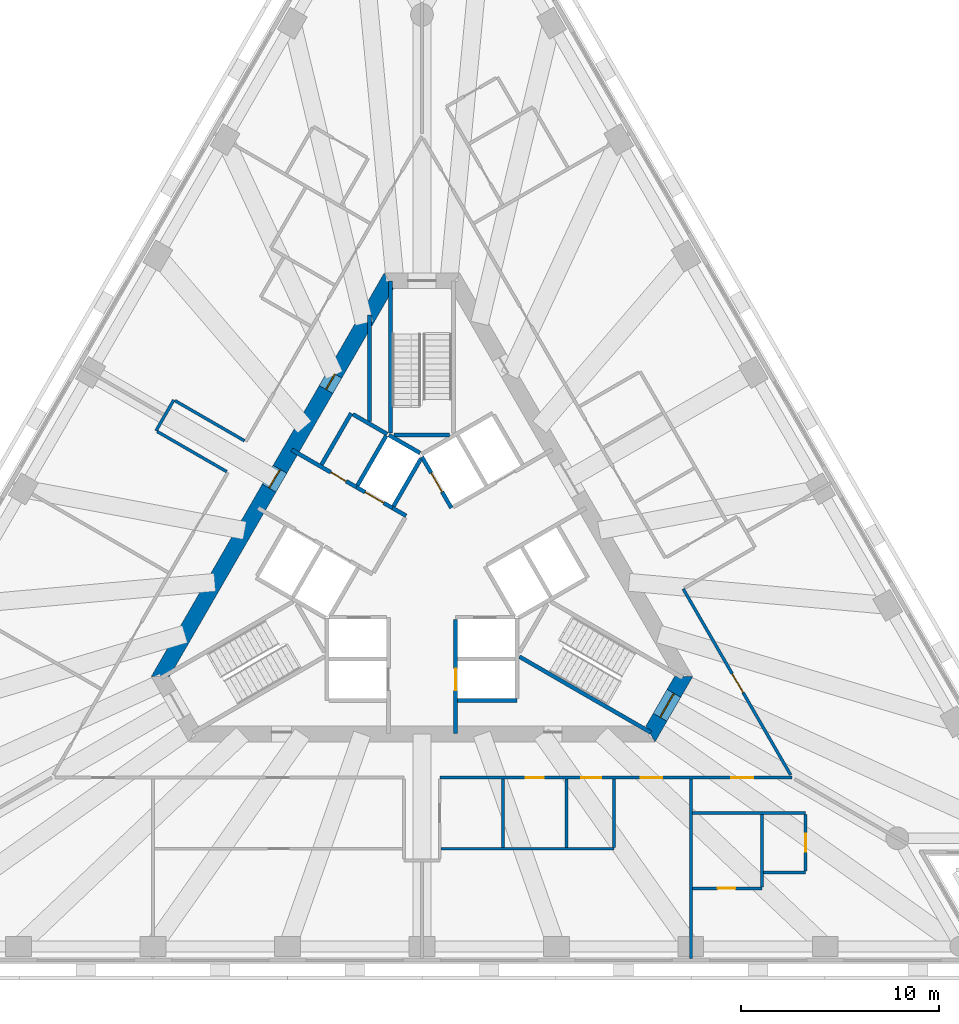
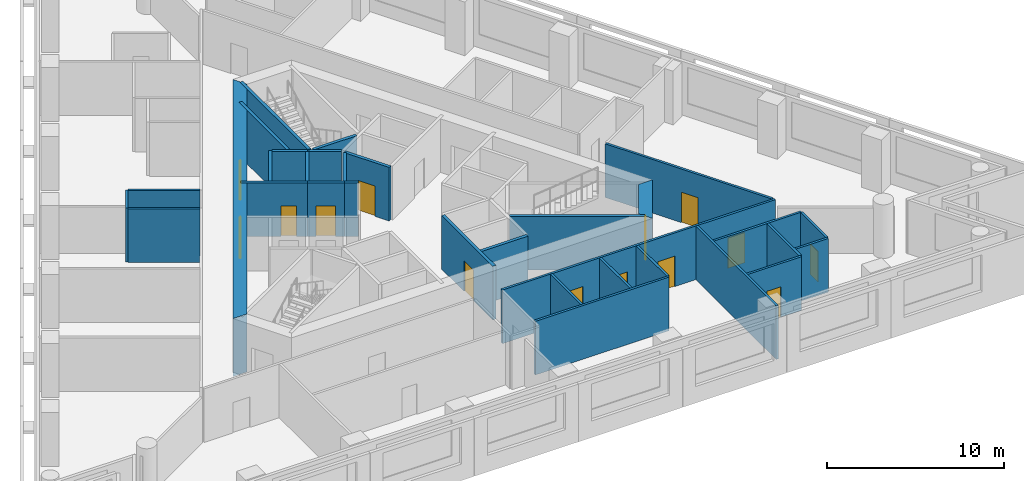
# One storey, part 4 of 9: 32 walls, 14 doors, 14 openings.
"""IFC4 building model written with IfcOpenShell, lengths in metres."""

from ifc_helpers import new_model, si_unit, direction, frame, frame_2d, origin, place, context, subcontext, project, spatial, polyline, rectangle, outline, extrude, material, layer, layer_set, type_object, element, fill, save


model = new_model("IFC4")

# Units and contexts
model_context = context("Model", 3, precision=1e-05, world=origin(), true_north=direction((0.0, 1.0)))
body_context = subcontext(model_context, "Body", "Model", "MODEL_VIEW")
ifc_project = project(units=[si_unit("LENGTHUNIT", "METRE"), si_unit("AREAUNIT", "SQUARE_METRE"), si_unit("VOLUMEUNIT", "CUBIC_METRE"), si_unit("PLANEANGLEUNIT", "RADIAN"), si_unit("MASSUNIT", "GRAM", prefix="KILO")], contexts=[model_context])

# Site, building, storey
site_placement = place(None, origin())
site = spatial("IfcSite", under=ifc_project, at=site_placement, CompositionType="ELEMENT")
building_placement = place(site_placement, origin())
building = spatial("IfcBuilding", under=site, at=building_placement, Name="Triada Interchange Tower", CompositionType="ELEMENT")
storey_placement = place(building_placement, frame((0.0, 0.0, 136.300048828125)))
storey = spatial("IfcBuildingStorey", under=building, at=storey_placement, Name="L31", CompositionType="ELEMENT", Elevation=136.300048828125)

# Wall
ifc_material_1 = material(Name="Concrete C30/37", Category="concrete")
ifc_layer_1 = layer(ifc_material_1, 0.199951171875)
ifc_layer_set_1 = layer_set([ifc_layer_1], Name="CORE WALL 200 EI 120")
wall_type_1 = type_object("IfcWallType", Name="CORE WALL 200 EI 120", PredefinedType="SOLIDWALL", material=ifc_layer_set_1)
wall_1_placement = place(storey_placement, frame((1.800048828125, -6.89990234375, 0.0), z_axis=(0.0, 0.0, 1.0), x_axis=(1.0, 0.0, 0.0)))
element("IfcWall", 1, at=wall_1_placement, inside=storey, type_object=wall_type_1, Name="Wall L29 58", PredefinedType="SOLIDWALL", context=body_context, shape_type="SweptSolid", body=[
    extrude(rectangle(XDim=3.0, YDim=0.199951171875, at=frame_2d((1.5, 0.0))), origin(), (0.0, 0.0, 1.0), 3.699951171875),
])

# Wall, opening, door
wall_2_placement = place(storey_placement, frame((0.0, 5.39990234375, 0.0), z_axis=(0.0, 0.0, 1.0), x_axis=(0.500103862429, -0.865965430478, 0.0)))
wall_2 = element("IfcWall", 2, at=wall_2_placement, inside=storey, type_object=wall_type_1, Name="Wall L29 65", PredefinedType="SOLIDWALL", context=body_context, shape_type="SweptSolid", body=[
    extrude(rectangle(XDim=2.973388671875, YDim=0.199951171875, at=frame_2d((1.48681640625, 0.0))), origin(), (0.0, 0.0, 1.0), 3.699951171875),
])
opening_1_placement = place(wall_2_placement, frame((0.93701171875, 0.0, 0.0)))
opening_1 = element("IfcOpeningElement", 3, at=opening_1_placement, cuts=wall_2, Name="Opening LD-LR5", PredefinedType="OPENING", context=body_context, shape_type="SweptSolid", body=[
    extrude(rectangle(XDim=1.10009765625, YDim=2.10009765625, at=frame_2d((0.550048828125, 1.050048828125))), frame((0.0, 0.10986328125, 0.0), z_axis=(0.0, -1.0, 0.0), x_axis=(1.0, 0.0, 0.0)), (0.0, 0.0, 1.0), 0.219970703125),
])
ifc_material_2 = material(Name="Steel S235 door leaf", Category="steel")
door_type_1 = type_object("IfcDoorType", Name="LIFT LANDING DOOR 1100 EI 120", OperationType="SLIDING_TO_LEFT", PredefinedType="DOOR", material=ifc_material_2)
door_1_placement = place(opening_1_placement, origin())
door_1 = element("IfcDoor", 4, at=door_1_placement, inside=storey, type_object=door_type_1, Name="LR5 landing door L31", OperationType="SLIDING_TO_LEFT", OverallHeight=2.10009765625, OverallWidth=1.10009765625, PredefinedType="DOOR", context=body_context, shape_type="SweptSolid", body=[
    extrude(rectangle(XDim=1.10009765625, YDim=2.10009765625, at=frame_2d((0.550048828125, 1.050048828125))), frame((0.0, 0.02490234375, 0.0), z_axis=(0.0, -1.0, 0.0), x_axis=(1.0, 0.0, 0.0)), (0.0, 0.0, 1.0), 0.050048828125),
])
fill(opening_1, door_1)

wall_3_placement = place(storey_placement, frame((1.699951171875, -8.580078125, 0.0), z_axis=(0.0, 0.0, 1.0), x_axis=(0.0, 1.0, 0.0)))
wall_3 = element("IfcWall", 5, at=wall_3_placement, inside=storey, type_object=wall_type_1, Name="Wall L29 68", PredefinedType="SOLIDWALL", context=body_context, shape_type="SweptSolid", body=[
    extrude(rectangle(XDim=5.777099609375, YDim=0.199951171875, at=frame_2d((2.888671875, 0.0))), origin(), (0.0, 0.0, 1.0), 3.699951171875),
])
opening_2_placement = place(wall_3_placement, frame((2.179931640625, 0.0, 0.0)))
opening_2 = element("IfcOpeningElement", 6, at=opening_2_placement, cuts=wall_3, Name="Opening LD-LR2", PredefinedType="OPENING", context=body_context, shape_type="SweptSolid", body=[
    extrude(rectangle(XDim=1.10009765625, YDim=2.10009765625, at=frame_2d((0.550048828125, 1.050048828125))), frame((0.0, 0.10986328125, 0.0), z_axis=(0.0, -1.0, 0.0), x_axis=(1.0, 0.0, 0.0)), (0.0, 0.0, 1.0), 0.219970703125),
])
door_2_placement = place(opening_2_placement, origin())
door_2 = element("IfcDoor", 7, at=door_2_placement, inside=storey, type_object=door_type_1, Name="LR2 landing door L31", OperationType="SLIDING_TO_LEFT", OverallHeight=2.10009765625, OverallWidth=1.10009765625, PredefinedType="DOOR", context=body_context, shape_type="SweptSolid", body=[
    extrude(rectangle(XDim=1.10009765625, YDim=2.10009765625, at=frame_2d((0.550048828125, 1.050048828125))), frame((0.0, 0.02490234375, 0.0), z_axis=(0.0, -1.0, 0.0), x_axis=(1.0, 0.0, 0.0)), (0.0, 0.0, 1.0), 0.050048828125),
])
fill(opening_2, door_2)

ifc_layer_2 = layer(ifc_material_1, 0.199951171875)
ifc_layer_set_2 = layer_set([ifc_layer_2], Name="CORE WALL 200 EI 180")
wall_type_2 = type_object("IfcWallType", Name="CORE WALL 200 EI 180", PredefinedType="SOLIDWALL", material=ifc_layer_set_2)
wall_4_placement = place(storey_placement, frame((-6.580078125, 5.761962890625, 0.0), z_axis=(0.0, 0.0, 1.0), x_axis=(0.866029704776, -0.49999255039, 0.0)))
wall_4 = element("IfcWall", 8, at=wall_4_placement, inside=storey, type_object=wall_type_2, Name="Wall L29 78", PredefinedType="SOLIDWALL", context=body_context, shape_type="SweptSolid", body=[
    extrude(rectangle(XDim=3.78173828125, YDim=0.199951171875, at=frame_2d((1.890869140625, 0.0))), origin(), (0.0, 0.0, 1.0), 3.699951171875),
])
opening_3_placement = place(wall_4_placement, frame((2.279052734375, 0.0, 0.0)))
opening_3 = element("IfcOpeningElement", 9, at=opening_3_placement, cuts=wall_4, Name="Opening D29-10", PredefinedType="OPENING", context=body_context, shape_type="SweptSolid", body=[
    extrude(rectangle(XDim=0.89990234375, YDim=2.10009765625, at=frame_2d((0.449951171875, 1.050048828125))), frame((0.0, 0.10986328125, 0.0), z_axis=(0.0, -1.0, 0.0), x_axis=(1.0, 0.0, 0.0)), (0.0, 0.0, 1.0), 0.219970703125),
])
door_type_2 = type_object("IfcDoorType", Name="SERVICE DOOR 900 EI2 90-C5S200", OperationType="NOTDEFINED", PredefinedType="DOOR", material=ifc_material_2)
door_3_placement = place(opening_3_placement, origin())
door_3 = element("IfcDoor", 10, at=door_3_placement, inside=storey, type_object=door_type_2, Name="Door D29-10 L31", OperationType="SINGLE_SWING_LEFT", OverallHeight=2.10009765625, OverallWidth=0.89990234375, PredefinedType="DOOR", context=body_context, shape_type="SweptSolid", body=[
    extrude(rectangle(XDim=0.89990234375, YDim=2.10009765625, at=frame_2d((0.449951171875, 1.050048828125))), frame((0.0, 0.02490234375, 0.0), z_axis=(0.0, -1.0, 0.0), x_axis=(1.0, 0.0, 0.0)), (0.0, 0.0, 1.0), 0.050048828125),
])
fill(opening_3, door_3)

# Walls
wall_5_placement = place(storey_placement, frame((-1.488037109375, 2.822021484375, 0.0), z_axis=(0.0, 0.0, 1.0), x_axis=(0.866236612152, -0.499633997809, 0.0)))
element("IfcWall", 11, at=wall_5_placement, inside=storey, type_object=wall_type_2, Name="Wall L29 79", PredefinedType="SOLIDWALL", context=body_context, shape_type="SweptSolid", body=[
    extrude(rectangle(XDim=0.79638671875, YDim=0.199951171875, at=frame_2d((0.398193359375, 0.0))), origin(), (0.0, 0.0, 1.0), 3.699951171875),
])
wall_6_placement = place(storey_placement, frame((-5.075927734375, 5.009033203125, 0.0), z_axis=(0.0, 0.0, 1.0), x_axis=(0.50002537861, 0.866010750942, 0.0)))
element("IfcWall", 12, at=wall_6_placement, inside=storey, type_object=wall_type_2, Name="Wall L29 80", PredefinedType="SOLIDWALL", context=body_context, shape_type="SweptSolid", body=[
    extrude(rectangle(XDim=2.999755859375, YDim=0.199951171875, at=frame_2d((1.5, 0.0))), origin(), (0.0, 0.0, 1.0), 3.699951171875),
])
wall_7_placement = place(storey_placement, frame((-3.489013671875, 7.556884765625, 0.0), z_axis=(0.0, 0.0, 1.0), x_axis=(0.866010750942, -0.50002537861, 0.0)))
element("IfcWall", 13, at=wall_7_placement, inside=storey, type_object=wall_type_2, Name="Wall L29 81", PredefinedType="SOLIDWALL", context=body_context, shape_type="SweptSolid", body=[
    extrude(rectangle(XDim=2.0, YDim=0.199951171875, at=frame_2d((1.0, 0.0))), origin(), (0.0, 0.0, 1.0), 3.699951171875),
])

# Wall, opening, door
wall_8_placement = place(storey_placement, frame((-3.30908203125, 3.873046875, 0.0), z_axis=(0.0, 0.0, 1.0), x_axis=(0.866098583652, -0.499873227325, 0.0)))
wall_8 = element("IfcWall", 14, at=wall_8_placement, inside=storey, type_object=wall_type_2, Name="Shaft wall FF2 L29 87", PredefinedType="SOLIDWALL", context=body_context, shape_type="SweptSolid", body=[
    extrude(rectangle(XDim=2.1025390625, YDim=0.199951171875, at=frame_2d((1.05126953125, 0.0))), origin(), (0.0, 0.0, 1.0), 3.699951171875),
])
opening_4_placement = place(wall_8_placement, frame((0.501953125, 0.0, 0.0)))
opening_4 = element("IfcOpeningElement", 15, at=opening_4_placement, cuts=wall_8, Name="Opening LD-FF2", PredefinedType="OPENING", context=body_context, shape_type="SweptSolid", body=[
    extrude(rectangle(XDim=1.10009765625, YDim=2.10009765625, at=frame_2d((0.550048828125, 1.050048828125))), frame((0.0, 0.10986328125, 0.0), z_axis=(0.0, -1.0, 0.0), x_axis=(1.0, 0.0, 0.0)), (0.0, 0.0, 1.0), 0.219970703125),
])
door_4_placement = place(opening_4_placement, origin())
door_4 = element("IfcDoor", 16, at=door_4_placement, inside=storey, type_object=door_type_1, Name="FF2 landing door L31", OperationType="SLIDING_TO_LEFT", OverallHeight=2.10009765625, OverallWidth=1.10009765625, PredefinedType="DOOR", context=body_context, shape_type="SweptSolid", body=[
    extrude(rectangle(XDim=1.10009765625, YDim=2.10009765625, at=frame_2d((0.550048828125, 1.050048828125))), frame((0.0, 0.02490234375, 0.0), z_axis=(0.0, -1.0, 0.0), x_axis=(1.0, 0.0, 0.0)), (0.0, 0.0, 1.0), 0.050048828125),
])
fill(opening_4, door_4)

# Walls
wall_9_placement = place(storey_placement, frame((-3.257080078125, 3.958984375, 0.0), z_axis=(0.0, 0.0, 1.0), x_axis=(0.50012328804, 0.865954211699, 0.0)))
element("IfcWall", 17, at=wall_9_placement, inside=storey, type_object=wall_type_2, Name="Shaft wall FF2 L29 88", PredefinedType="SOLIDWALL", context=body_context, shape_type="SweptSolid", body=[
    extrude(rectangle(XDim=2.899658203125, YDim=0.199951171875, at=frame_2d((1.44970703125, 0.0))), origin(), (0.0, 0.0, 1.0), 3.699951171875),
])
wall_10_placement = place(storey_placement, frame((-1.669921875, 6.507080078125, 0.0), z_axis=(0.0, 0.0, 1.0), x_axis=(0.865941441609, -0.500145398563, 0.0)))
element("IfcWall", 18, at=wall_10_placement, inside=storey, type_object=wall_type_2, Name="Shaft wall FF2 L29 89", PredefinedType="SOLIDWALL", context=body_context, shape_type="SweptSolid", body=[
    extrude(rectangle(XDim=1.8154296875, YDim=0.199951171875, at=frame_2d((0.90771484375, 0.0))), origin(), (0.0, 0.0, 1.0), 3.699951171875),
])
wall_11_placement = place(storey_placement, frame((-1.43798828125, 2.908935546875, 0.0), z_axis=(0.0, 0.0, 1.0), x_axis=(0.499829630636, 0.866123744241, 0.0)))
element("IfcWall", 19, at=wall_11_placement, inside=storey, type_object=wall_type_2, Name="Shaft wall FF2 L29 90", PredefinedType="SOLIDWALL", context=body_context, shape_type="SweptSolid", body=[
    extrude(rectangle(XDim=2.7607421875, YDim=0.199951171875, at=frame_2d((1.38037109375, 0.0))), origin(), (0.0, 0.0, 1.0), 3.699951171875),
])
ifc_layer_3 = layer(ifc_material_1, 0.199951171875)
ifc_layer_set_3 = layer_set([ifc_layer_3], Name="CORE WALL 200 EI 90")
wall_type_3 = type_object("IfcWallType", Name="CORE WALL 200 EI 90", PredefinedType="SOLIDWALL", material=ifc_layer_set_3)
wall_12_placement = place(storey_placement, frame((-2.64404296875, 7.18505859375, 0.0), z_axis=(0.0, 0.0, 1.0), x_axis=(0.0, 1.0, 0.0)))
element("IfcWall", 20, at=wall_12_placement, inside=storey, type_object=wall_type_3, Name="Wall L29 91", PredefinedType="SOLIDWALL", context=body_context, shape_type="SweptSolid", body=[
    extrude(rectangle(XDim=5.39501953125, YDim=0.199951171875, at=frame_2d((2.697509765625, 0.0))), origin(), (0.0, 0.0, 1.0), 3.699951171875),
])
ifc_layer_4 = layer(ifc_material_1, 0.199951171875)
ifc_layer_set_4 = layer_set([ifc_layer_4], Name="CORE WALL 200 REI 240")
wall_type_4 = type_object("IfcWallType", Name="CORE WALL 200 REI 240", PredefinedType="SOLIDWALL", material=ifc_layer_set_4)
wall_13_placement = place(storey_placement, frame((-1.39990234375, 6.5, 0.0), z_axis=(0.0, 0.0, 1.0), x_axis=(1.0, 0.0, 0.0)))
element("IfcWall", 21, at=wall_13_placement, inside=storey, type_object=wall_type_4, Name="Wall L29 96", PredefinedType="SOLIDWALL", context=body_context, shape_type="SweptSolid", body=[
    extrude(rectangle(XDim=2.7998046875, YDim=0.199951171875, at=frame_2d((1.39990234375, 0.0))), origin(), (0.0, 0.0, 1.0), 3.699951171875),
])
for number, where, z_axis, x_axis, name in (
    (22, (-1.60009765625, 6.614990234375, 0.0), (0.0, 0.0, 1.0), (0.0, 1.0, 0.0), "Wall L29 97"),
    (23, (4.928955078125, -4.693115234375, 0.0), (0.0, 0.0, 1.0), (0.866005769735, -0.50003400563, 0.0), "Wall L29 98"),
):
    element("IfcWall", number, at=place(storey_placement, frame(where, z_axis=z_axis, x_axis=x_axis)), inside=storey, type_object=wall_type_4, Name=name, PredefinedType="SOLIDWALL", context=body_context, shape_type="SweptSolid", body=[
        extrude(rectangle(XDim=7.6650390625, YDim=0.199951171875, at=frame_2d((3.83251953125, 0.0))), origin(), (0.0, 0.0, 1.0), 3.699951171875),
    ])

# Wall, openings, doors
ifc_material_3 = material(Name="Concrete C60/75", Category="concrete")
ifc_layer_5 = layer(ifc_material_3, 0.800048828125)
ifc_layer_set_5 = layer_set([ifc_layer_5], Name="Core wall B 800")
wall_type_5 = type_object("IfcWallType", Name="Core wall B 800", PredefinedType="SHEAR", material=ifc_layer_set_5)
wall_14_placement = place(storey_placement, frame((-1.674072265625, 14.300048828125, -0.300048828125), z_axis=(0.0, 0.0, 1.0), x_axis=(-0.499995765644, -0.866027848477, 0.0)))
wall_14 = element("IfcWall", 24, at=wall_14_placement, inside=storey, type_object=wall_type_5, Name="Core wall WB02 L31", PredefinedType="SHEAR", context=body_context, shape_type="SweptSolid", body=[
    extrude(outline(polyline([(-0.23095703125, -0.39990234375), (1.73193359375, -0.39990234375), (3.695068359375, -0.39990234375), (5.657958984375, -0.39990234375), (7.62109375, -0.39990234375), (9.583984375, -0.39990234375), (11.546875, -0.39990234375), (13.510009765625, -0.39990234375), (15.472900390625, -0.39990234375), (17.43603515625, -0.39990234375), (19.39892578125, -0.39990234375), (21.362060546875, -0.39990234375), (23.324951171875, -0.39990234375), (22.863037109375, 0.39990234375), (20.97705078125, 0.39990234375), (19.091064453125, 0.39990234375), (17.205078125, 0.39990234375), (15.319091796875, 0.39990234375), (13.43310546875, 0.39990234375), (11.546875, 0.39990234375), (9.660888671875, 0.39990234375), (7.77490234375, 0.39990234375), (5.888916015625, 0.39990234375), (4.0029296875, 0.39990234375), (2.116943359375, 0.39990234375), (0.23095703125, 0.39990234375), (-0.23095703125, -0.39990234375)])), origin(), (0.0, 0.0, 1.0), 4.0),
])
opening_5_placement = place(wall_14_placement, frame((10.9970703125, 0.0, 0.300048828125)))
opening_5 = element("IfcOpeningElement", 25, at=opening_5_placement, cuts=wall_14, Name="Opening D29-41", PredefinedType="OPENING", context=body_context, shape_type="SweptSolid", body=[
    extrude(rectangle(XDim=1.10009765625, YDim=2.10009765625, at=frame_2d((0.550048828125, 1.050048828125))), frame((0.0, 0.409912109375, 0.0), z_axis=(0.0, -1.0, 0.0), x_axis=(1.0, 0.0, 0.0)), (0.0, 0.0, 1.0), 0.820068359375),
])
opening_6_placement = place(wall_14_placement, frame((5.444091796875, 0.0, 0.300048828125)))
opening_6 = element("IfcOpeningElement", 26, at=opening_6_placement, cuts=wall_14, Name="Opening D29-43", PredefinedType="OPENING", context=body_context, shape_type="SweptSolid", body=[
    extrude(rectangle(XDim=0.89990234375, YDim=2.10009765625, at=frame_2d((0.449951171875, 1.050048828125))), frame((0.0, 0.409912109375, 0.0), z_axis=(0.0, -1.0, 0.0), x_axis=(1.0, 0.0, 0.0)), (0.0, 0.0, 1.0), 0.820068359375),
])
door_type_3 = type_object("IfcDoorType", Name="FIRE LOBBY DOOR 1100 EI2 90-C5S200", OperationType="NOTDEFINED", PredefinedType="DOOR", material=ifc_material_2)
door_5_placement = place(opening_5_placement, origin())
door_5 = element("IfcDoor", 27, at=door_5_placement, inside=storey, type_object=door_type_3, Name="Door D29-41 L31", OperationType="SINGLE_SWING_LEFT", OverallHeight=2.10009765625, OverallWidth=1.10009765625, PredefinedType="DOOR", context=body_context, shape_type="SweptSolid", body=[
    extrude(rectangle(XDim=1.10009765625, YDim=2.10009765625, at=frame_2d((0.550048828125, 1.050048828125))), frame((0.0, 0.02490234375, 0.0), z_axis=(0.0, -1.0, 0.0), x_axis=(1.0, 0.0, 0.0)), (0.0, 0.0, 1.0), 0.050048828125),
])
fill(opening_5, door_5)
door_type_4 = type_object("IfcDoorType", Name="RISER ACCESS DOOR 900 EI2 45-C5S200", OperationType="NOTDEFINED", PredefinedType="DOOR", material=ifc_material_2)
door_6_placement = place(opening_6_placement, origin())
door_6 = element("IfcDoor", 28, at=door_6_placement, inside=storey, type_object=door_type_4, Name="Door D29-43 L31", OperationType="SINGLE_SWING_LEFT", OverallHeight=2.10009765625, OverallWidth=0.89990234375, PredefinedType="DOOR", context=body_context, shape_type="SweptSolid", body=[
    extrude(rectangle(XDim=0.89990234375, YDim=2.10009765625, at=frame_2d((0.449951171875, 1.050048828125))), frame((0.0, 0.02490234375, 0.0), z_axis=(0.0, -1.0, 0.0), x_axis=(1.0, 0.0, 0.0)), (0.0, 0.0, 1.0), 0.050048828125),
])
fill(opening_6, door_6)

# Wall, opening, door
wall_15_placement = place(storey_placement, frame((11.547119140625, -8.60009765625, -0.300048828125), z_axis=(0.0, 0.0, 1.0), x_axis=(0.49987182685, 0.866099391942, 0.0)))
wall_15 = element("IfcWall", 29, at=wall_15_placement, inside=storey, type_object=wall_type_5, Name="Core wall WB05 L31", PredefinedType="SHEAR", context=body_context, shape_type="SweptSolid", body=[
    extrude(outline(polyline([(-0.23095703125, -0.39990234375), (1.674072265625, -0.39990234375), (3.5791015625, -0.39990234375), (3.117919921875, 0.39990234375), (1.67431640625, 0.39990234375), (0.23095703125, 0.39990234375), (-0.23095703125, -0.39990234375)])), origin(), (0.0, 0.0, 1.0), 4.0),
])
opening_7_placement = place(wall_15_placement, frame((0.97412109375, 0.0, 0.300048828125)))
opening_7 = element("IfcOpeningElement", 30, at=opening_7_placement, cuts=wall_15, Name="Opening D29-40", PredefinedType="OPENING", context=body_context, shape_type="SweptSolid", body=[
    extrude(rectangle(XDim=1.39990234375, YDim=2.10009765625, at=frame_2d((0.699951171875, 1.050048828125))), frame((0.0, 0.409912109375, 0.0), z_axis=(0.0, -1.0, 0.0), x_axis=(1.0, 0.0, 0.0)), (0.0, 0.0, 1.0), 0.820068359375),
])
door_type_5 = type_object("IfcDoorType", Name="STAIR DOOR 1400 EI2 90-C5S200", OperationType="DOUBLE_DOOR_SINGLE_SWING", PredefinedType="DOOR", material=ifc_material_2)
door_7_placement = place(opening_7_placement, origin())
door_7 = element("IfcDoor", 31, at=door_7_placement, inside=storey, type_object=door_type_5, Name="Door D29-40 L31", OperationType="DOUBLE_DOOR_SINGLE_SWING", OverallHeight=2.10009765625, OverallWidth=1.39990234375, PredefinedType="DOOR", context=body_context, shape_type="SweptSolid", body=[
    extrude(rectangle(XDim=1.39990234375, YDim=2.10009765625, at=frame_2d((0.699951171875, 1.050048828125))), frame((0.0, 0.02490234375, 0.0), z_axis=(0.0, -1.0, 0.0), x_axis=(1.0, 0.0, 0.0)), (0.0, 0.0, 1.0), 0.050048828125),
])
fill(opening_7, door_7)

# Wall, openings, doors
ifc_material_4 = material(Name="Gypsum board partition")
ifc_layer_6 = layer(ifc_material_4, 0.14990234375)
ifc_layer_set_6 = layer_set([ifc_layer_6], Name="PARTITION 150 EI 180")
wall_type_6 = type_object("IfcWallType", Name="PARTITION 150 EI 180", PredefinedType="PARTITIONING", material=ifc_layer_set_6)
wall_16_placement = place(storey_placement, frame((0.90087890625, -10.800048828125, 0.0), z_axis=(0.0, 0.0, 1.0), x_axis=(1.0, 0.0, 0.0)))
wall_16 = element("IfcWall", 32, at=wall_16_placement, inside=storey, type_object=wall_type_6, Name="Wall L29 5", PredefinedType="PARTITIONING", context=body_context, shape_type="SweptSolid", body=[
    extrude(rectangle(XDim=17.80517578125, YDim=0.14990234375, at=frame_2d((8.902587890625, 0.0))), origin(), (0.0, 0.0, 1.0), 3.699951171875),
])
opening_8_placement = place(wall_16_placement, frame((10.14892578125, 0.0, 0.0)))
opening_8 = element("IfcOpeningElement", 33, at=opening_8_placement, cuts=wall_16, Name="Opening D29-14", PredefinedType="OPENING", context=body_context, shape_type="SweptSolid", body=[
    extrude(rectangle(XDim=1.10009765625, YDim=2.10009765625, at=frame_2d((0.550048828125, 1.050048828125))), frame((0.0, 0.0849609375, 0.0), z_axis=(0.0, -1.0, 0.0), x_axis=(1.0, 0.0, 0.0)), (0.0, 0.0, 1.0), 0.169921875),
])
opening_9_placement = place(wall_16_placement, frame((4.34912109375, 0.0, 0.0)))
opening_9 = element("IfcOpeningElement", 34, at=opening_9_placement, cuts=wall_16, Name="Opening D29-16", PredefinedType="OPENING", context=body_context, shape_type="SweptSolid", body=[
    extrude(rectangle(XDim=0.89990234375, YDim=2.10009765625, at=frame_2d((0.449951171875, 1.050048828125))), frame((0.0, 0.0849609375, 0.0), z_axis=(0.0, -1.0, 0.0), x_axis=(1.0, 0.0, 0.0)), (0.0, 0.0, 1.0), 0.169921875),
])
opening_10_placement = place(wall_16_placement, frame((7.14892578125, 0.0, 0.0)))
opening_10 = element("IfcOpeningElement", 35, at=opening_10_placement, cuts=wall_16, Name="Opening D29-17", PredefinedType="OPENING", context=body_context, shape_type="SweptSolid", body=[
    extrude(rectangle(XDim=1.0, YDim=2.10009765625, at=frame_2d((0.5, 1.050048828125))), frame((0.0, 0.0849609375, 0.0), z_axis=(0.0, -1.0, 0.0), x_axis=(1.0, 0.0, 0.0)), (0.0, 0.0, 1.0), 0.169921875),
])
opening_11_placement = place(wall_16_placement, frame((14.737060546875, 0.0, 0.0)))
opening_11 = element("IfcOpeningElement", 36, at=opening_11_placement, cuts=wall_16, Name="Opening D29-18", PredefinedType="OPENING", context=body_context, shape_type="SweptSolid", body=[
    extrude(rectangle(XDim=1.10009765625, YDim=2.10009765625, at=frame_2d((0.550048828125, 1.050048828125))), frame((0.0, 0.0849609375, 0.0), z_axis=(0.0, -1.0, 0.0), x_axis=(1.0, 0.0, 0.0)), (0.0, 0.0, 1.0), 0.169921875),
])
door_type_6 = type_object("IfcDoorType", Name="ROOM DOOR 1000 EI2 90-C5S200", OperationType="NOTDEFINED", PredefinedType="DOOR", material=ifc_material_2)
door_8_placement = place(opening_10_placement, origin())
door_8 = element("IfcDoor", 37, at=door_8_placement, inside=storey, type_object=door_type_6, Name="Door D29-17 L31", OperationType="SINGLE_SWING_RIGHT", OverallHeight=2.10009765625, OverallWidth=1.0, PredefinedType="DOOR", context=body_context, shape_type="SweptSolid", body=[
    extrude(rectangle(XDim=1.0, YDim=2.10009765625, at=frame_2d((0.5, 1.050048828125))), frame((0.0, 0.02490234375, 0.0), z_axis=(0.0, -1.0, 0.0), x_axis=(1.0, 0.0, 0.0)), (0.0, 0.0, 1.0), 0.050048828125),
])
fill(opening_10, door_8)
door_type_7 = type_object("IfcDoorType", Name="ROOM DOOR 900 EI2 90-C5S200", OperationType="NOTDEFINED", PredefinedType="DOOR", material=ifc_material_2)
door_9_placement = place(opening_9_placement, origin())
door_9 = element("IfcDoor", 38, at=door_9_placement, inside=storey, type_object=door_type_7, Name="Door D29-16 L31", OperationType="SINGLE_SWING_RIGHT", OverallHeight=2.10009765625, OverallWidth=0.89990234375, PredefinedType="DOOR", context=body_context, shape_type="SweptSolid", body=[
    extrude(rectangle(XDim=0.89990234375, YDim=2.10009765625, at=frame_2d((0.449951171875, 1.050048828125))), frame((0.0, 0.02490234375, 0.0), z_axis=(0.0, -1.0, 0.0), x_axis=(1.0, 0.0, 0.0)), (0.0, 0.0, 1.0), 0.050048828125),
])
fill(opening_9, door_9)
door_type_8 = type_object("IfcDoorType", Name="TENANCY ENTRANCE DOOR 1100 EI2 90-C5S200", OperationType="NOTDEFINED", PredefinedType="DOOR", material=ifc_material_2)
door_10_placement = place(opening_8_placement, origin())
door_10 = element("IfcDoor", 39, at=door_10_placement, inside=storey, type_object=door_type_8, Name="Door D29-14 L31", OperationType="SINGLE_SWING_LEFT", OverallHeight=2.10009765625, OverallWidth=1.10009765625, PredefinedType="DOOR", context=body_context, shape_type="SweptSolid", body=[
    extrude(rectangle(XDim=1.10009765625, YDim=2.10009765625, at=frame_2d((0.550048828125, 1.050048828125))), frame((0.0, 0.02490234375, 0.0), z_axis=(0.0, -1.0, 0.0), x_axis=(1.0, 0.0, 0.0)), (0.0, 0.0, 1.0), 0.050048828125),
])
fill(opening_8, door_10)
door_11_placement = place(opening_11_placement, origin())
door_11 = element("IfcDoor", 40, at=door_11_placement, inside=storey, type_object=door_type_8, Name="Door D29-18 L31", OperationType="SINGLE_SWING_LEFT", OverallHeight=2.10009765625, OverallWidth=1.10009765625, PredefinedType="DOOR", context=body_context, shape_type="SweptSolid", body=[
    extrude(rectangle(XDim=1.10009765625, YDim=2.10009765625, at=frame_2d((0.550048828125, 1.050048828125))), frame((0.0, 0.02490234375, 0.0), z_axis=(0.0, -1.0, 0.0), x_axis=(1.0, 0.0, 0.0)), (0.0, 0.0, 1.0), 0.050048828125),
])
fill(opening_11, door_11)

# Walls
wall_17_placement = place(storey_placement, frame((-13.43994140625, 6.720947265625, 0.0), z_axis=(0.0, 0.0, 1.0), x_axis=(0.500137434689, 0.865946041288, 0.0)))
element("IfcWall", 41, at=wall_17_placement, inside=storey, type_object=wall_type_6, Name="Wall L29 13", PredefinedType="PARTITIONING", context=body_context, shape_type="SweptSolid", body=[
    extrude(rectangle(XDim=1.79931640625, YDim=0.14990234375, at=frame_2d((0.899658203125, 0.0))), origin(), (0.0, 0.0, 1.0), 3.699951171875),
])
wall_18_placement = place(storey_placement, frame((-12.47509765625, 8.241943359375, 0.0), z_axis=(0.0, 0.0, 1.0), x_axis=(0.865955608197, -0.500120870022, 0.0)))
element("IfcWall", 42, at=wall_18_placement, inside=storey, type_object=wall_type_6, Name="Wall L29 14", PredefinedType="PARTITIONING", context=body_context, shape_type="SweptSolid", body=[
    extrude(rectangle(XDim=4.048828125, YDim=0.14990234375, at=frame_2d((2.0244140625, 0.0))), origin(), (0.0, 0.0, 1.0), 3.699951171875),
])
wall_19_placement = place(storey_placement, frame((-13.375, 6.68310546875, 0.0), z_axis=(0.0, 0.0, 1.0), x_axis=(0.866033948129, -0.499985200469, 0.0)))
element("IfcWall", 43, at=wall_19_placement, inside=storey, type_object=wall_type_6, Name="Wall L29 15", PredefinedType="PARTITIONING", context=body_context, shape_type="SweptSolid", body=[
    extrude(rectangle(XDim=4.04833984375, YDim=0.14990234375, at=frame_2d((2.024169921875, 0.0))), origin(), (0.0, 0.0, 1.0), 3.699951171875),
])

# Wall, opening, door
wall_20_placement = place(storey_placement, frame((13.200927734375, -1.263916015625, 0.0), z_axis=(0.0, 0.0, 1.0), x_axis=(0.499973466559, -0.866040722332, 0.0)))
wall_20 = element("IfcWall", 44, at=wall_20_placement, inside=storey, type_object=wall_type_6, Name="Wall L29 25", PredefinedType="PARTITIONING", context=body_context, shape_type="SweptSolid", body=[
    extrude(rectangle(XDim=10.86083984375, YDim=0.14990234375, at=frame_2d((5.430419921875, 0.0))), origin(), (0.0, 0.0, 1.0), 3.699951171875),
])
opening_12_placement = place(wall_20_placement, frame((4.9599609375, 0.0, 0.0)))
opening_12 = element("IfcOpeningElement", 45, at=opening_12_placement, cuts=wall_20, Name="Opening D29-21", PredefinedType="OPENING", context=body_context, shape_type="SweptSolid", body=[
    extrude(rectangle(XDim=1.10009765625, YDim=2.10009765625, at=frame_2d((0.550048828125, 1.050048828125))), frame((0.0, 0.0849609375, 0.0), z_axis=(0.0, -1.0, 0.0), x_axis=(1.0, 0.0, 0.0)), (0.0, 0.0, 1.0), 0.169921875),
])
door_12_placement = place(opening_12_placement, origin())
door_12 = element("IfcDoor", 46, at=door_12_placement, inside=storey, type_object=door_type_8, Name="Door D29-21 L31", OperationType="SINGLE_SWING_RIGHT", OverallHeight=2.10009765625, OverallWidth=1.10009765625, PredefinedType="DOOR", context=body_context, shape_type="SweptSolid", body=[
    extrude(rectangle(XDim=1.10009765625, YDim=2.10009765625, at=frame_2d((0.550048828125, 1.050048828125))), frame((0.0, 0.02490234375, 0.0), z_axis=(0.0, -1.0, 0.0), x_axis=(1.0, 0.0, 0.0)), (0.0, 0.0, 1.0), 0.050048828125),
])
fill(opening_12, door_12)

# Walls
wall_21_placement = place(storey_placement, frame((0.97509765625, -14.39990234375, 0.0), z_axis=(0.0, 0.0, 1.0), x_axis=(1.0, 0.0, 0.0)))
element("IfcWall", 47, at=wall_21_placement, inside=storey, type_object=wall_type_6, Name="Wall L29 26", PredefinedType="PARTITIONING", context=body_context, shape_type="SweptSolid", body=[
    extrude(rectangle(XDim=8.724853515625, YDim=0.14990234375, at=frame_2d((4.3623046875, 0.0))), origin(), (0.0, 0.0, 1.0), 3.699951171875),
])
for number, where, z_axis, x_axis, name in (
    (48, (4.10009765625, -14.324951171875, 0.0), (0.0, 0.0, 1.0), (0.0, 1.0, 0.0), "Wall L29 28"),
    (49, (9.699951171875, -14.324951171875, 0.0), (0.0, 0.0, 1.0), (0.0, 1.0, 0.0), "Wall L29 29"),
    (50, (7.300048828125, -14.324951171875, 0.0), (0.0, 0.0, 1.0), (0.0, 1.0, 0.0), "Wall L29 30"),
):
    element("IfcWall", number, at=place(storey_placement, frame(where, z_axis=z_axis, x_axis=x_axis)), inside=storey, type_object=wall_type_6, Name=name, PredefinedType="PARTITIONING", context=body_context, shape_type="SweptSolid", body=[
        extrude(rectangle(XDim=3.449951171875, YDim=0.14990234375, at=frame_2d((1.72509765625, 0.0))), origin(), (0.0, 0.0, 1.0), 3.699951171875),
    ])
wall_22_placement = place(storey_placement, frame((13.587890625, -19.951904296875, 0.0), z_axis=(0.0, 0.0, 1.0), x_axis=(0.0, 1.0, 0.0)))
element("IfcWall", 51, at=wall_22_placement, inside=storey, type_object=wall_type_6, Name="Wall L29 36", PredefinedType="PARTITIONING", context=body_context, shape_type="SweptSolid", body=[
    extrude(rectangle(XDim=9.076904296875, YDim=0.14990234375, at=frame_2d((4.53857421875, 0.0))), origin(), (0.0, 0.0, 1.0), 3.699951171875),
])

# Wall, opening, door
ifc_layer_7 = layer(ifc_material_4, 0.14990234375)
ifc_layer_set_7 = layer_set([ifc_layer_7], Name="PARTITION 150 EI 90")
wall_type_7 = type_object("IfcWallType", Name="PARTITION 150 EI 90", PredefinedType="PARTITIONING", material=ifc_layer_set_7)
wall_23_placement = place(storey_placement, frame((13.6630859375, -16.39990234375, 0.0), z_axis=(0.0, 0.0, 1.0), x_axis=(1.0, 0.0, 0.0)))
wall_23 = element("IfcWall", 52, at=wall_23_placement, inside=storey, type_object=wall_type_7, Name="Wall L29 49", PredefinedType="PARTITIONING", context=body_context, shape_type="SweptSolid", body=[
    extrude(rectangle(XDim=3.52490234375, YDim=0.14990234375, at=frame_2d((1.762451171875, 0.0))), origin(), (0.0, 0.0, 1.0), 3.699951171875),
])
opening_13_placement = place(wall_23_placement, frame((1.27490234375, 0.0, 0.0)))
opening_13 = element("IfcOpeningElement", 53, at=opening_13_placement, cuts=wall_23, Name="Opening D29-19", PredefinedType="OPENING", context=body_context, shape_type="SweptSolid", body=[
    extrude(rectangle(XDim=0.89990234375, YDim=2.10009765625, at=frame_2d((0.449951171875, 1.050048828125))), frame((0.0, 0.0849609375, 0.0), z_axis=(0.0, -1.0, 0.0), x_axis=(1.0, 0.0, 0.0)), (0.0, 0.0, 1.0), 0.169921875),
])
door_type_9 = type_object("IfcDoorType", Name="ROOM DOOR 900 EI2 45-C5S200", OperationType="NOTDEFINED", PredefinedType="DOOR", material=ifc_material_2)
door_13_placement = place(opening_13_placement, origin())
door_13 = element("IfcDoor", 54, at=door_13_placement, inside=storey, type_object=door_type_9, Name="Door D29-19 L31", OperationType="SINGLE_SWING_LEFT", OverallHeight=2.10009765625, OverallWidth=0.89990234375, PredefinedType="DOOR", context=body_context, shape_type="SweptSolid", body=[
    extrude(rectangle(XDim=0.89990234375, YDim=2.10009765625, at=frame_2d((0.449951171875, 1.050048828125))), frame((0.0, 0.02490234375, 0.0), z_axis=(0.0, -1.0, 0.0), x_axis=(1.0, 0.0, 0.0)), (0.0, 0.0, 1.0), 0.050048828125),
])
fill(opening_13, door_13)

# Walls
wall_24_placement = place(storey_placement, frame((17.18798828125, -16.324951171875, 0.0), z_axis=(0.0, 0.0, 1.0), x_axis=(0.0, 1.0, 0.0)))
element("IfcWall", 55, at=wall_24_placement, inside=storey, type_object=wall_type_7, Name="Wall L29 50", PredefinedType="PARTITIONING", context=body_context, shape_type="SweptSolid", body=[
    extrude(rectangle(XDim=3.64990234375, YDim=0.14990234375, at=frame_2d((1.824951171875, 0.0))), origin(), (0.0, 0.0, 1.0), 3.699951171875),
])
wall_25_placement = place(storey_placement, frame((13.6630859375, -12.60009765625, 0.0), z_axis=(0.0, 0.0, 1.0), x_axis=(1.0, 0.0, 0.0)))
element("IfcWall", 56, at=wall_25_placement, inside=storey, type_object=wall_type_7, Name="Wall L29 51", PredefinedType="PARTITIONING", context=body_context, shape_type="SweptSolid", body=[
    extrude(rectangle(XDim=5.724853515625, YDim=0.14990234375, at=frame_2d((2.8623046875, 0.0))), origin(), (0.0, 0.0, 1.0), 3.699951171875),
])
wall_26_placement = place(storey_placement, frame((17.262939453125, -15.60009765625, 0.0), z_axis=(0.0, 0.0, 1.0), x_axis=(1.0, 0.0, 0.0)))
element("IfcWall", 57, at=wall_26_placement, inside=storey, type_object=wall_type_7, Name="Wall L29 52", PredefinedType="PARTITIONING", context=body_context, shape_type="SweptSolid", body=[
    extrude(rectangle(XDim=2.125, YDim=0.14990234375, at=frame_2d((1.0625, 0.0))), origin(), (0.0, 0.0, 1.0), 3.699951171875),
])

# Wall, opening, door
wall_27_placement = place(storey_placement, frame((19.387939453125, -15.52490234375, 0.0), z_axis=(0.0, 0.0, 1.0), x_axis=(0.0, 1.0, 0.0)))
wall_27 = element("IfcWall", 58, at=wall_27_placement, inside=storey, type_object=wall_type_7, Name="Wall L29 53", PredefinedType="PARTITIONING", context=body_context, shape_type="SweptSolid", body=[
    extrude(rectangle(XDim=2.849853515625, YDim=0.14990234375, at=frame_2d((1.4248046875, 0.0))), origin(), (0.0, 0.0, 1.0), 3.699951171875),
])
opening_14_placement = place(wall_27_placement, frame((0.97509765625, 0.0, 0.0)))
opening_14 = element("IfcOpeningElement", 59, at=opening_14_placement, cuts=wall_27, Name="Opening D29-20", PredefinedType="OPENING", context=body_context, shape_type="SweptSolid", body=[
    extrude(rectangle(XDim=0.89990234375, YDim=2.10009765625, at=frame_2d((0.449951171875, 1.050048828125))), frame((0.0, 0.0849609375, 0.0), z_axis=(0.0, -1.0, 0.0), x_axis=(1.0, 0.0, 0.0)), (0.0, 0.0, 1.0), 0.169921875),
])
door_type_10 = type_object("IfcDoorType", Name="SERVICE DOOR 900 EI2 45-C5S200", OperationType="NOTDEFINED", PredefinedType="DOOR", material=ifc_material_2)
door_14_placement = place(opening_14_placement, origin())
door_14 = element("IfcDoor", 60, at=door_14_placement, inside=storey, type_object=door_type_10, Name="Door D29-20 L31", OperationType="SINGLE_SWING_RIGHT", OverallHeight=2.10009765625, OverallWidth=0.89990234375, PredefinedType="DOOR", context=body_context, shape_type="SweptSolid", body=[
    extrude(rectangle(XDim=0.89990234375, YDim=2.10009765625, at=frame_2d((0.449951171875, 1.050048828125))), frame((0.0, 0.02490234375, 0.0), z_axis=(0.0, -1.0, 0.0), x_axis=(1.0, 0.0, 0.0)), (0.0, 0.0, 1.0), 0.050048828125),
])
fill(opening_14, door_14)

save(model, "model.ifc")
